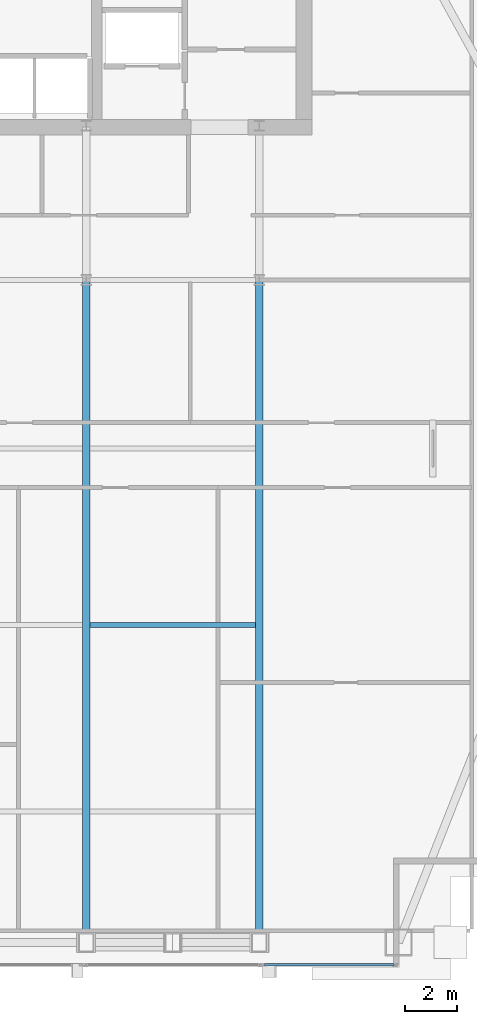
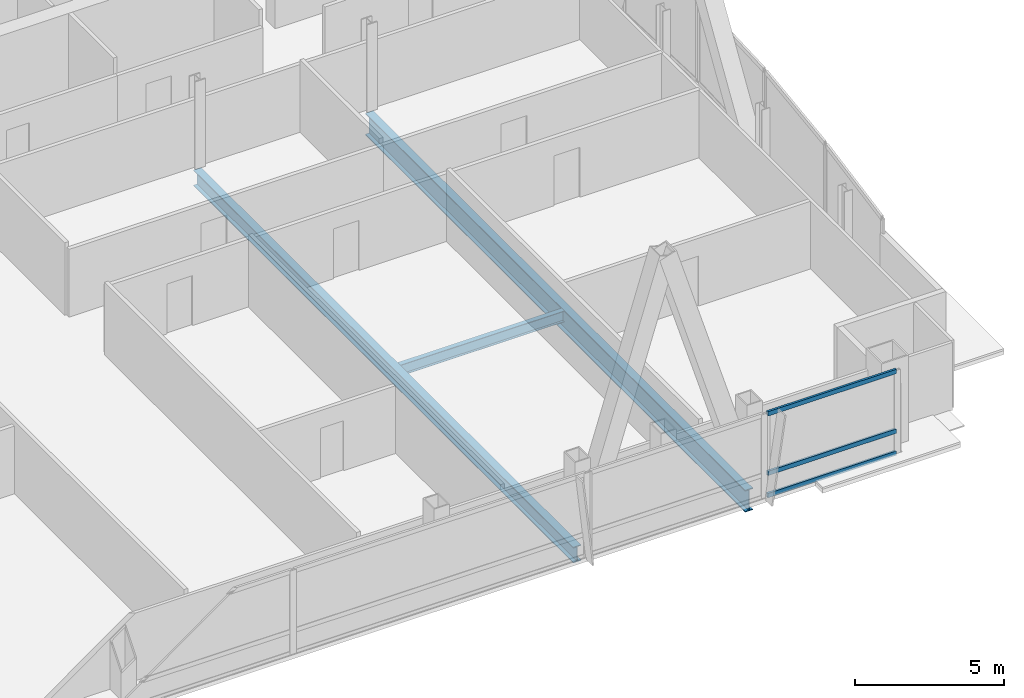
# One storey, part 15 of 30: 3 beams, 3 members, 1 element without a shape of its own.
"""IFC4 building model written with IfcOpenShell, lengths in metres."""

from ifc_helpers import new_model, si_unit, direction, frame, origin, origin_2d, place, context, subcontext, project, spatial, hollow_rectangle, i_section, extrude, material, material_profile, profile_set, type_object, element, aggregate, save


model = new_model("IFC4")

# Units and contexts
model_context = context("Model", 3, precision=1e-05, world=origin(), true_north=direction((0.0, 1.0)))
body_context = subcontext(model_context, "Body", "Model", "MODEL_VIEW")
ifc_project = project(units=[si_unit("LENGTHUNIT", "METRE"), si_unit("AREAUNIT", "SQUARE_METRE"), si_unit("VOLUMEUNIT", "CUBIC_METRE"), si_unit("PLANEANGLEUNIT", "RADIAN"), si_unit("MASSUNIT", "GRAM", prefix="KILO")], contexts=[model_context])

# Site, building, storey
site_placement = place(None, origin())
site = spatial("IfcSite", under=ifc_project, at=site_placement, CompositionType="ELEMENT")
building_placement = place(site_placement, origin())
building = spatial("IfcBuilding", under=site, at=building_placement, Name="Khoronbel Lancet Exchange", CompositionType="ELEMENT")
storey_placement = place(building_placement, frame((0.0, 0.0, 239.0)))
storey = spatial("IfcBuildingStorey", under=building, at=storey_placement, Name="L61", CompositionType="ELEMENT", Elevation=239.0)

# Beams
ifc_material_1 = material(Name="Steel S355", Category="steel")
ifc_material_profile_1 = material_profile(ifc_material_1, i_section(OverallWidth=0.300048828125, OverallDepth=0.89990234375, WebThickness=0.0185546875, FlangeThickness=0.034912109375, at=origin_2d()), Name="HEB 900")
ifc_profile_set_1 = profile_set([ifc_material_profile_1], Name="Steel S355")
beam_type_1 = type_object("IfcBeamType", Name="BM-BG1", PredefinedType="BEAM", material=ifc_profile_set_1)
beam_1_placement = place(storey_placement, frame((54.675048828125, 10.14990234375, -0.610107421875), z_axis=(0.0, 1.0, 0.0), x_axis=(-1.0, 0.0, 0.0)))
element("IfcBeam", 1, at=beam_1_placement, inside=storey, type_object=beam_type_1, Name="Level L61 south primary girder GS6", PredefinedType="BEAM", context=body_context, shape_type="SweptSolid", body=[
    extrude(i_section(OverallWidth=0.300048828125, OverallDepth=0.89990234375, WebThickness=0.0185546875, FlangeThickness=0.034912109375, at=origin_2d()), origin(), (0.0, 0.0, 1.0), 25.550048828125),
])
ifc_material_profile_2 = material_profile(ifc_material_1, i_section(OverallWidth=0.300048828125, OverallDepth=0.64990234375, WebThickness=0.01611328125, FlangeThickness=0.031005859375, at=origin_2d()), Name="HEB 650")
ifc_profile_set_2 = profile_set([ifc_material_profile_2], Name="Steel S355")
beam_type_2 = type_object("IfcBeamType", Name="BM-BG4", PredefinedType="BEAM", material=ifc_profile_set_2)
beam_2_placement = place(storey_placement, frame((48.0, 10.14990234375, -0.485107421875), z_axis=(0.0, 1.0, 0.0), x_axis=(-1.0, 0.0, 0.0)))
element("IfcBeam", 2, at=beam_2_placement, inside=storey, type_object=beam_type_2, Name="Level L61 south primary girder GS5", PredefinedType="BEAM", context=body_context, shape_type="SweptSolid", body=[
    extrude(i_section(OverallWidth=0.300048828125, OverallDepth=0.64990234375, WebThickness=0.01611328125, FlangeThickness=0.031005859375, at=origin_2d()), origin(), (0.0, 0.0, 1.0), 25.550048828125),
])
ifc_material_profile_3 = material_profile(ifc_material_1, i_section(OverallWidth=0.18994140625, OverallDepth=0.449951171875, WebThickness=0.009521484375, FlangeThickness=0.0146484375, at=origin_2d()), Name="IPE 450")
ifc_profile_set_3 = profile_set([ifc_material_profile_3], Name="Steel S355")
beam_type_3 = type_object("IfcBeamType", Name="BM-BJ4", PredefinedType="JOIST", material=ifc_profile_set_3)
beam_3_placement = place(storey_placement, frame((48.14990234375, 22.39990234375, -0.385009765625), z_axis=(1.0, 0.0, 0.0), x_axis=(0.0, 1.0, 0.0)))
element("IfcBeam", 3, at=beam_3_placement, inside=storey, type_object=beam_type_3, Name="Level L61 secondary composite joist J10", PredefinedType="JOIST", context=body_context, shape_type="SweptSolid", body=[
    extrude(i_section(OverallWidth=0.18994140625, OverallDepth=0.449951171875, WebThickness=0.009521484375, FlangeThickness=0.0146484375, at=origin_2d()), origin(), (0.0, 0.0, 1.0), 6.375),
])

# Curtain wall, members
ifc_material_2 = material(Name="Low-E Solar Control Insulating Glass", Category="glass")
curtain_wall_type = type_object("IfcCurtainWallType", Name="CW-3", PredefinedType="NOTDEFINED", material=ifc_material_2)
curtain_wall_placement = place(storey_placement, origin())
curtain_wall = element("IfcCurtainWall", 4, at=curtain_wall_placement, inside=storey, type_object=curtain_wall_type, Name="Unitised curtain wall CW-L61-SEV", PredefinedType="NOTDEFINED")
ifc_material_3 = material(Name="Bronze-Anodised Aluminium 6063-T6", Category="aluminium")
ifc_material_profile_4 = material_profile(ifc_material_3, hollow_rectangle(XDim=0.0849609375, YDim=0.179931640625, WallThickness=0.0048828125, at=origin_2d()), Name="ALU TRANSOM 85x180")
ifc_profile_set_4 = profile_set([ifc_material_profile_4], Name="Bronze-Anodised Aluminium 6063-T6")
member_type = type_object("IfcMemberType", Name="MEM-CWT1", PredefinedType="USERDEFINED", material=ifc_profile_set_4)
member_1_placement = place(storey_placement, frame((54.885009765625, 9.2900390625, 0.04248046875), z_axis=(1.0, 0.0, 0.0), x_axis=(0.0, 1.0, 0.0)))
member_1 = element("IfcMember", 5, at=member_1_placement, type_object=member_type, Name="CW3 transom 1.1", ObjectType="TRANSOM", PredefinedType="USERDEFINED", context=body_context, shape_type="SweptSolid", body=[
    extrude(hollow_rectangle(XDim=0.0849609375, YDim=0.179931640625, WallThickness=0.0048828125, at=origin_2d()), origin(), (0.0, 0.0, 1.0), 4.989990234375),
])
member_2_placement = place(storey_placement, frame((54.885009765625, 9.2900390625, 0.949951171875), z_axis=(1.0, 0.0, 0.0), x_axis=(0.0, 1.0, 0.0)))
member_2 = element("IfcMember", 6, at=member_2_placement, type_object=member_type, Name="CW3 transom 1.2", ObjectType="TRANSOM", PredefinedType="USERDEFINED", context=body_context, shape_type="SweptSolid", body=[
    extrude(hollow_rectangle(XDim=0.0849609375, YDim=0.179931640625, WallThickness=0.0048828125, at=origin_2d()), origin(), (0.0, 0.0, 1.0), 4.989990234375),
])
member_3_placement = place(storey_placement, frame((54.885009765625, 9.2900390625, 3.3974609375), z_axis=(1.0, 0.0, 0.0), x_axis=(0.0, 1.0, 0.0)))
member_3 = element("IfcMember", 7, at=member_3_placement, type_object=member_type, Name="CW3 transom 1.3", ObjectType="TRANSOM", PredefinedType="USERDEFINED", context=body_context, shape_type="SweptSolid", body=[
    extrude(hollow_rectangle(XDim=0.0849609375, YDim=0.179931640625, WallThickness=0.0048828125, at=origin_2d()), origin(), (0.0, 0.0, 1.0), 4.989990234375),
])
aggregate(curtain_wall, [member_1, member_2, member_3])

save(model, "model.ifc")
